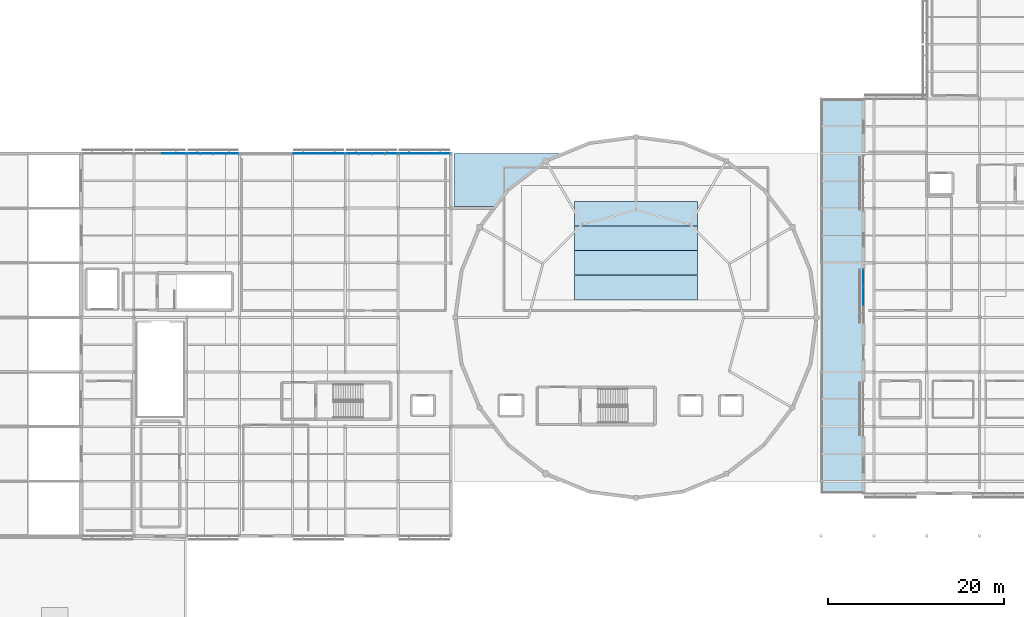
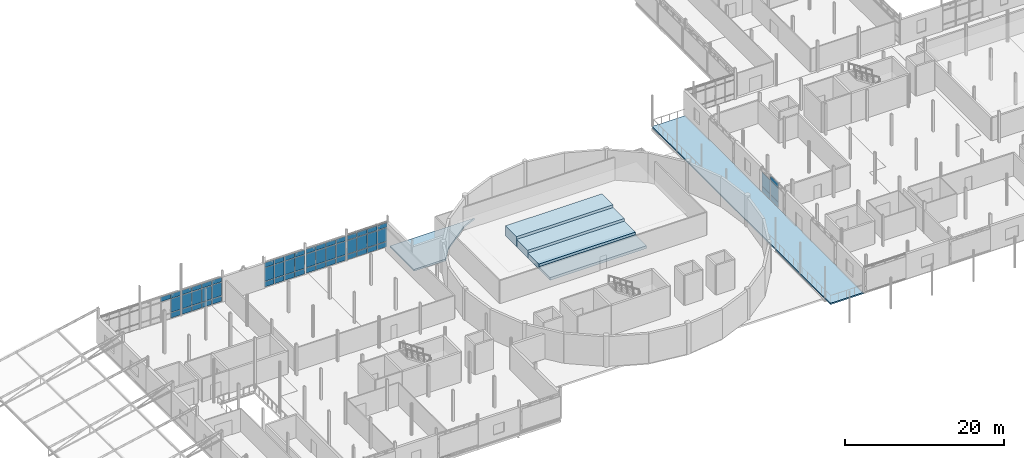
# One storey, part 51 of 84: 57 plates, 6 slabs, 6 elements without a shape of their own.
"""IFC4 building model written with IfcOpenShell, lengths in metres."""

from ifc_helpers import new_model, si_unit, direction, frame, origin, origin_2d, place, context, subcontext, project, spatial, polyline, rectangle, outline, extrude, material, layer, layer_set, type_object, element, aggregate, save


model = new_model("IFC4")

# Units and contexts
model_context = context("Model", 3, precision=1e-05, world=origin(), true_north=direction((0.0, 1.0)))
body_context = subcontext(model_context, "Body", "Model", "MODEL_VIEW")
ifc_project = project(units=[si_unit("LENGTHUNIT", "METRE"), si_unit("AREAUNIT", "SQUARE_METRE"), si_unit("VOLUMEUNIT", "CUBIC_METRE"), si_unit("PLANEANGLEUNIT", "RADIAN"), si_unit("MASSUNIT", "GRAM", prefix="KILO")], contexts=[model_context])

# Site, building, storey
site_placement = place(None, origin())
site = spatial("IfcSite", under=ifc_project, at=site_placement, CompositionType="ELEMENT")
building_placement = place(site_placement, origin())
building = spatial("IfcBuilding", under=site, at=building_placement, Name="Mirzam Square Science Centre", CompositionType="ELEMENT")
storey_placement = place(building_placement, frame((0.0, 0.0, 10.800048828125)))
storey = spatial("IfcBuildingStorey", under=building, at=storey_placement, Name="L02", CompositionType="ELEMENT", Elevation=10.800048828125)

# Curtain wall, plates
ifc_material_1 = material(Name="Anodised Aluminium and Low-E Solar Glass", Category="aluminium")
ifc_layer_1 = layer(ifc_material_1, 0.179931640625)
ifc_layer_set_1 = layer_set([ifc_layer_1], Name="CW-PARK-A")
curtain_wall_type_1 = type_object("IfcCurtainWallType", Name="CW-PARK-A", PredefinedType="USERDEFINED", material=ifc_layer_set_1)
curtain_wall_1_placement = place(storey_placement, origin())
curtain_wall_1 = element("IfcCurtainWall", 1, at=curtain_wall_1_placement, inside=storey, type_object=curtain_wall_type_1, Name="L02 unitised curtain wall 23", ObjectType="UNITISED CURTAIN WALL", PredefinedType="USERDEFINED")
ifc_material_2 = material(Name="Ceramic-Fritted Courtyard Solar Glass", Category="glass")
ifc_layer_2 = layer(ifc_material_2, 0.02392578125)
ifc_layer_set_2 = layer_set([ifc_layer_2], Name="CWP-GLZ-24")
plate_type_1 = type_object("IfcPlateType", Name="CWP-GLZ-24", PredefinedType="CURTAIN_PANEL", material=ifc_layer_set_2)
plate_1_placement = place(storey_placement, frame((35.18994140625, 80.60009765625, 0.074951171875), z_axis=(0.0, 0.0, 1.0), x_axis=(-1.0, 0.0, 0.0)))
plate_1 = element("IfcPlate", 2, at=plate_1_placement, type_object=plate_type_1, Name="CW-01 panel 1.1", PredefinedType="CURTAIN_PANEL", context=body_context, shape_type="SweptSolid", body=[
    extrude(rectangle(XDim=1.360107421875, YDim=0.02392578125, at=origin_2d()), origin(), (0.0, 0.0, 1.0), 0.78759765625),
])
plate_2_placement = place(storey_placement, frame((35.18994140625, 80.60009765625, 0.9375), z_axis=(0.0, 0.0, 1.0), x_axis=(-1.0, 0.0, 0.0)))
plate_2 = element("IfcPlate", 3, at=plate_2_placement, type_object=plate_type_1, Name="CW-01 panel 1.2", PredefinedType="CURTAIN_PANEL", context=body_context, shape_type="SweptSolid", body=[
    extrude(rectangle(XDim=1.360107421875, YDim=0.02392578125, at=origin_2d()), origin(), (0.0, 0.0, 1.0), 2.06494140625),
])
plate_3_placement = place(storey_placement, frame((35.18994140625, 80.60009765625, 3.077392578125), z_axis=(0.0, 0.0, 1.0), x_axis=(-1.0, 0.0, 0.0)))
plate_3 = element("IfcPlate", 4, at=plate_3_placement, type_object=plate_type_1, Name="CW-01 panel 1.3", PredefinedType="CURTAIN_PANEL", context=body_context, shape_type="SweptSolid", body=[
    extrude(rectangle(XDim=1.360107421875, YDim=0.02392578125, at=origin_2d()), origin(), (0.0, 0.0, 1.0), 0.6875),
])
plate_4_placement = place(storey_placement, frame((33.736328125, 80.60009765625, 0.074951171875), z_axis=(0.0, 0.0, 1.0), x_axis=(-1.0, 0.0, 0.0)))
plate_4 = element("IfcPlate", 5, at=plate_4_placement, type_object=plate_type_1, Name="CW-01 panel 2.1", PredefinedType="CURTAIN_PANEL", context=body_context, shape_type="SweptSolid", body=[
    extrude(rectangle(XDim=1.3974609375, YDim=0.02392578125, at=origin_2d()), origin(), (0.0, 0.0, 1.0), 0.78759765625),
])
plate_5_placement = place(storey_placement, frame((33.736328125, 80.60009765625, 0.9375), z_axis=(0.0, 0.0, 1.0), x_axis=(-1.0, 0.0, 0.0)))
plate_5 = element("IfcPlate", 6, at=plate_5_placement, type_object=plate_type_1, Name="CW-01 panel 2.2", PredefinedType="CURTAIN_PANEL", context=body_context, shape_type="SweptSolid", body=[
    extrude(rectangle(XDim=1.3974609375, YDim=0.02392578125, at=origin_2d()), origin(), (0.0, 0.0, 1.0), 2.06494140625),
])
plate_6_placement = place(storey_placement, frame((33.736328125, 80.60009765625, 3.077392578125), z_axis=(0.0, 0.0, 1.0), x_axis=(-1.0, 0.0, 0.0)))
plate_6 = element("IfcPlate", 7, at=plate_6_placement, type_object=plate_type_1, Name="CW-01 panel 2.3", PredefinedType="CURTAIN_PANEL", context=body_context, shape_type="SweptSolid", body=[
    extrude(rectangle(XDim=1.3974609375, YDim=0.02392578125, at=origin_2d()), origin(), (0.0, 0.0, 1.0), 0.6875),
])
plate_7_placement = place(storey_placement, frame((32.263671875, 80.60009765625, 0.074951171875), z_axis=(0.0, 0.0, 1.0), x_axis=(-1.0, 0.0, 0.0)))
plate_7 = element("IfcPlate", 8, at=plate_7_placement, type_object=plate_type_1, Name="CW-01 panel 3.1", PredefinedType="CURTAIN_PANEL", context=body_context, shape_type="SweptSolid", body=[
    extrude(rectangle(XDim=1.3974609375, YDim=0.02392578125, at=origin_2d()), origin(), (0.0, 0.0, 1.0), 0.78759765625),
])
plate_8_placement = place(storey_placement, frame((32.263671875, 80.60009765625, 0.9375), z_axis=(0.0, 0.0, 1.0), x_axis=(-1.0, 0.0, 0.0)))
plate_8 = element("IfcPlate", 9, at=plate_8_placement, type_object=plate_type_1, Name="CW-01 panel 3.2", PredefinedType="CURTAIN_PANEL", context=body_context, shape_type="SweptSolid", body=[
    extrude(rectangle(XDim=1.3974609375, YDim=0.02392578125, at=origin_2d()), origin(), (0.0, 0.0, 1.0), 2.06494140625),
])
plate_9_placement = place(storey_placement, frame((32.263671875, 80.60009765625, 3.077392578125), z_axis=(0.0, 0.0, 1.0), x_axis=(-1.0, 0.0, 0.0)))
plate_9 = element("IfcPlate", 10, at=plate_9_placement, type_object=plate_type_1, Name="CW-01 panel 3.3", PredefinedType="CURTAIN_PANEL", context=body_context, shape_type="SweptSolid", body=[
    extrude(rectangle(XDim=1.3974609375, YDim=0.02392578125, at=origin_2d()), origin(), (0.0, 0.0, 1.0), 0.6875),
])
plate_10_placement = place(storey_placement, frame((30.81005859375, 80.60009765625, 0.074951171875), z_axis=(0.0, 0.0, 1.0), x_axis=(-1.0, 0.0, 0.0)))
plate_10 = element("IfcPlate", 11, at=plate_10_placement, type_object=plate_type_1, Name="CW-01 panel 4.1", PredefinedType="CURTAIN_PANEL", context=body_context, shape_type="SweptSolid", body=[
    extrude(rectangle(XDim=1.360107421875, YDim=0.02392578125, at=origin_2d()), origin(), (0.0, 0.0, 1.0), 0.78759765625),
])
plate_11_placement = place(storey_placement, frame((30.81005859375, 80.60009765625, 0.9375), z_axis=(0.0, 0.0, 1.0), x_axis=(-1.0, 0.0, 0.0)))
plate_11 = element("IfcPlate", 12, at=plate_11_placement, type_object=plate_type_1, Name="CW-01 panel 4.2", PredefinedType="CURTAIN_PANEL", context=body_context, shape_type="SweptSolid", body=[
    extrude(rectangle(XDim=1.360107421875, YDim=0.02392578125, at=origin_2d()), origin(), (0.0, 0.0, 1.0), 2.06494140625),
])
plate_12_placement = place(storey_placement, frame((30.81005859375, 80.60009765625, 3.077392578125), z_axis=(0.0, 0.0, 1.0), x_axis=(-1.0, 0.0, 0.0)))
plate_12 = element("IfcPlate", 13, at=plate_12_placement, type_object=plate_type_1, Name="CW-01 panel 4.3", PredefinedType="CURTAIN_PANEL", context=body_context, shape_type="SweptSolid", body=[
    extrude(rectangle(XDim=1.360107421875, YDim=0.02392578125, at=origin_2d()), origin(), (0.0, 0.0, 1.0), 0.6875),
])
aggregate(curtain_wall_1, [plate_1, plate_2, plate_3, plate_4, plate_5, plate_6, plate_7, plate_8, plate_9, plate_10, plate_11, plate_12])

ifc_layer_3 = layer(ifc_material_1, 0.159912109375)
ifc_layer_set_3 = layer_set([ifc_layer_3], Name="CW-COURT-A")
curtain_wall_type_2 = type_object("IfcCurtainWallType", Name="CW-COURT-A", PredefinedType="USERDEFINED", material=ifc_layer_set_3)
curtain_wall_2_placement = place(storey_placement, origin())
curtain_wall_2 = element("IfcCurtainWall", 14, at=curtain_wall_2_placement, inside=storey, type_object=curtain_wall_type_2, Name="L02 unitised curtain wall 24", ObjectType="UNITISED CURTAIN WALL", PredefinedType="USERDEFINED")
ifc_material_3 = material(Name="Double-Silver Low-E Insulated Solar Glass", Category="glass")
ifc_layer_4 = layer(ifc_material_3, 0.028076171875)
ifc_layer_set_4 = layer_set([ifc_layer_4], Name="CWP-GLZ-28")
plate_type_2 = type_object("IfcPlateType", Name="CWP-GLZ-28", PredefinedType="CURTAIN_PANEL", material=ifc_layer_set_4)
plate_13_placement = place(storey_placement, frame((47.1923828125, 80.60009765625, 0.06494140625), z_axis=(0.0, 0.0, 1.0), x_axis=(-1.0, 0.0, 0.0)))
plate_13 = element("IfcPlate", 15, at=plate_13_placement, type_object=plate_type_2, Name="CW-03 panel 1.1", PredefinedType="CURTAIN_PANEL", context=body_context, shape_type="SweptSolid", body=[
    extrude(rectangle(XDim=1.375, YDim=0.028076171875, at=origin_2d()), origin(), (0.0, 0.0, 1.0), 0.802490234375),
])
plate_14_placement = place(storey_placement, frame((47.1923828125, 80.60009765625, 0.9326171875), z_axis=(0.0, 0.0, 1.0), x_axis=(-1.0, 0.0, 0.0)))
plate_14 = element("IfcPlate", 16, at=plate_14_placement, type_object=plate_type_2, Name="CW-03 panel 1.2", PredefinedType="CURTAIN_PANEL", context=body_context, shape_type="SweptSolid", body=[
    extrude(rectangle(XDim=1.375, YDim=0.028076171875, at=origin_2d()), origin(), (0.0, 0.0, 1.0), 2.074951171875),
])
plate_15_placement = place(storey_placement, frame((47.1923828125, 80.60009765625, 3.072265625), z_axis=(0.0, 0.0, 1.0), x_axis=(-1.0, 0.0, 0.0)))
plate_15 = element("IfcPlate", 17, at=plate_15_placement, type_object=plate_type_2, Name="CW-03 panel 1.3", PredefinedType="CURTAIN_PANEL", context=body_context, shape_type="SweptSolid", body=[
    extrude(rectangle(XDim=1.375, YDim=0.028076171875, at=origin_2d()), origin(), (0.0, 0.0, 1.0), 0.702392578125),
])
plate_16_placement = place(storey_placement, frame((45.736328125, 80.60009765625, 0.06494140625), z_axis=(0.0, 0.0, 1.0), x_axis=(-1.0, 0.0, 0.0)))
plate_16 = element("IfcPlate", 18, at=plate_16_placement, type_object=plate_type_2, Name="CW-03 panel 2.1", PredefinedType="CURTAIN_PANEL", context=body_context, shape_type="SweptSolid", body=[
    extrude(rectangle(XDim=1.407470703125, YDim=0.028076171875, at=origin_2d()), origin(), (0.0, 0.0, 1.0), 0.802490234375),
])
plate_17_placement = place(storey_placement, frame((45.736328125, 80.60009765625, 0.9326171875), z_axis=(0.0, 0.0, 1.0), x_axis=(-1.0, 0.0, 0.0)))
plate_17 = element("IfcPlate", 19, at=plate_17_placement, type_object=plate_type_2, Name="CW-03 panel 2.2", PredefinedType="CURTAIN_PANEL", context=body_context, shape_type="SweptSolid", body=[
    extrude(rectangle(XDim=1.407470703125, YDim=0.028076171875, at=origin_2d()), origin(), (0.0, 0.0, 1.0), 2.074951171875),
])
plate_18_placement = place(storey_placement, frame((45.736328125, 80.60009765625, 3.072265625), z_axis=(0.0, 0.0, 1.0), x_axis=(-1.0, 0.0, 0.0)))
plate_18 = element("IfcPlate", 20, at=plate_18_placement, type_object=plate_type_2, Name="CW-03 panel 2.3", PredefinedType="CURTAIN_PANEL", context=body_context, shape_type="SweptSolid", body=[
    extrude(rectangle(XDim=1.407470703125, YDim=0.028076171875, at=origin_2d()), origin(), (0.0, 0.0, 1.0), 0.702392578125),
])
plate_19_placement = place(storey_placement, frame((44.263671875, 80.60009765625, 0.06494140625), z_axis=(0.0, 0.0, 1.0), x_axis=(-1.0, 0.0, 0.0)))
plate_19 = element("IfcPlate", 21, at=plate_19_placement, type_object=plate_type_2, Name="CW-03 panel 3.1", PredefinedType="CURTAIN_PANEL", context=body_context, shape_type="SweptSolid", body=[
    extrude(rectangle(XDim=1.407470703125, YDim=0.028076171875, at=origin_2d()), origin(), (0.0, 0.0, 1.0), 0.802490234375),
])
plate_20_placement = place(storey_placement, frame((44.263671875, 80.60009765625, 0.9326171875), z_axis=(0.0, 0.0, 1.0), x_axis=(-1.0, 0.0, 0.0)))
plate_20 = element("IfcPlate", 22, at=plate_20_placement, type_object=plate_type_2, Name="CW-03 panel 3.2", PredefinedType="CURTAIN_PANEL", context=body_context, shape_type="SweptSolid", body=[
    extrude(rectangle(XDim=1.407470703125, YDim=0.028076171875, at=origin_2d()), origin(), (0.0, 0.0, 1.0), 2.074951171875),
])
plate_21_placement = place(storey_placement, frame((44.263671875, 80.60009765625, 3.072265625), z_axis=(0.0, 0.0, 1.0), x_axis=(-1.0, 0.0, 0.0)))
plate_21 = element("IfcPlate", 23, at=plate_21_placement, type_object=plate_type_2, Name="CW-03 panel 3.3", PredefinedType="CURTAIN_PANEL", context=body_context, shape_type="SweptSolid", body=[
    extrude(rectangle(XDim=1.407470703125, YDim=0.028076171875, at=origin_2d()), origin(), (0.0, 0.0, 1.0), 0.702392578125),
])
plate_22_placement = place(storey_placement, frame((42.8076171875, 80.60009765625, 0.06494140625), z_axis=(0.0, 0.0, 1.0), x_axis=(-1.0, 0.0, 0.0)))
plate_22 = element("IfcPlate", 24, at=plate_22_placement, type_object=plate_type_2, Name="CW-03 panel 4.1", PredefinedType="CURTAIN_PANEL", context=body_context, shape_type="SweptSolid", body=[
    extrude(rectangle(XDim=1.375, YDim=0.028076171875, at=origin_2d()), origin(), (0.0, 0.0, 1.0), 0.802490234375),
])
plate_23_placement = place(storey_placement, frame((42.8076171875, 80.60009765625, 0.9326171875), z_axis=(0.0, 0.0, 1.0), x_axis=(-1.0, 0.0, 0.0)))
plate_23 = element("IfcPlate", 25, at=plate_23_placement, type_object=plate_type_2, Name="CW-03 panel 4.2", PredefinedType="CURTAIN_PANEL", context=body_context, shape_type="SweptSolid", body=[
    extrude(rectangle(XDim=1.375, YDim=0.028076171875, at=origin_2d()), origin(), (0.0, 0.0, 1.0), 2.074951171875),
])
plate_24_placement = place(storey_placement, frame((42.8076171875, 80.60009765625, 3.072265625), z_axis=(0.0, 0.0, 1.0), x_axis=(-1.0, 0.0, 0.0)))
plate_24 = element("IfcPlate", 26, at=plate_24_placement, type_object=plate_type_2, Name="CW-03 panel 4.3", PredefinedType="CURTAIN_PANEL", context=body_context, shape_type="SweptSolid", body=[
    extrude(rectangle(XDim=1.375, YDim=0.028076171875, at=origin_2d()), origin(), (0.0, 0.0, 1.0), 0.702392578125),
])
aggregate(curtain_wall_2, [plate_13, plate_14, plate_15, plate_16, plate_17, plate_18, plate_19, plate_20, plate_21, plate_22, plate_23, plate_24])

ifc_layer_5 = layer(ifc_material_1, 0.239990234375)
ifc_layer_set_5 = layer_set([ifc_layer_5], Name="CW-EAST-B")
curtain_wall_type_3 = type_object("IfcCurtainWallType", Name="CW-EAST-B", PredefinedType="USERDEFINED", material=ifc_layer_set_5)
curtain_wall_3_placement = place(storey_placement, origin())
curtain_wall_3 = element("IfcCurtainWall", 27, at=curtain_wall_3_placement, inside=storey, type_object=curtain_wall_type_3, Name="L02 unitised curtain wall 111", ObjectType="UNITISED CURTAIN WALL", PredefinedType="USERDEFINED")
plate_25_placement = place(storey_placement, frame((106.800048828125, 66.47802734375, 0.074951171875), z_axis=(0.0, 0.0, 1.0), x_axis=(0.0, -1.0, 0.0)))
plate_25 = element("IfcPlate", 28, at=plate_25_placement, type_object=plate_type_2, Name="CW-06 panel 1.1", PredefinedType="CURTAIN_PANEL", context=body_context, shape_type="SweptSolid", body=[
    extrude(rectangle(XDim=1.984130859375, YDim=0.028076171875, at=origin_2d()), origin(), (0.0, 0.0, 1.0), 0.78759765625),
])
plate_26_placement = place(storey_placement, frame((106.800048828125, 66.47802734375, 0.9375), z_axis=(0.0, 0.0, 1.0), x_axis=(0.0, -1.0, 0.0)))
plate_26 = element("IfcPlate", 29, at=plate_26_placement, type_object=plate_type_2, Name="CW-06 panel 1.2", PredefinedType="CURTAIN_PANEL", context=body_context, shape_type="SweptSolid", body=[
    extrude(rectangle(XDim=1.984130859375, YDim=0.028076171875, at=origin_2d()), origin(), (0.0, 0.0, 1.0), 2.06494140625),
])
plate_27_placement = place(storey_placement, frame((106.800048828125, 64.39990234375, 0.074951171875), z_axis=(0.0, 0.0, 1.0), x_axis=(0.0, -1.0, 0.0)))
plate_27 = element("IfcPlate", 30, at=plate_27_placement, type_object=plate_type_2, Name="CW-06 panel 2.1", PredefinedType="CURTAIN_PANEL", context=body_context, shape_type="SweptSolid", body=[
    extrude(rectangle(XDim=2.021728515625, YDim=0.028076171875, at=origin_2d()), origin(), (0.0, 0.0, 1.0), 0.78759765625),
])
plate_28_placement = place(storey_placement, frame((106.800048828125, 64.39990234375, 0.9375), z_axis=(0.0, 0.0, 1.0), x_axis=(0.0, -1.0, 0.0)))
plate_28 = element("IfcPlate", 31, at=plate_28_placement, type_object=plate_type_2, Name="CW-06 panel 2.2", PredefinedType="CURTAIN_PANEL", context=body_context, shape_type="SweptSolid", body=[
    extrude(rectangle(XDim=2.021728515625, YDim=0.028076171875, at=origin_2d()), origin(), (0.0, 0.0, 1.0), 2.06494140625),
])
plate_29_placement = place(storey_placement, frame((106.800048828125, 64.39990234375, 3.077392578125), z_axis=(0.0, 0.0, 1.0), x_axis=(0.0, -1.0, 0.0)))
plate_29 = element("IfcPlate", 32, at=plate_29_placement, type_object=plate_type_2, Name="CW-06 panel 2.3", PredefinedType="CURTAIN_PANEL", context=body_context, shape_type="SweptSolid", body=[
    extrude(rectangle(XDim=2.021728515625, YDim=0.028076171875, at=origin_2d()), origin(), (0.0, 0.0, 1.0), 0.6875),
])
aggregate(curtain_wall_3, [plate_25, plate_26, plate_27, plate_28, plate_29])

ifc_layer_6 = layer(ifc_material_1, 0.159912109375)
ifc_layer_set_6 = layer_set([ifc_layer_6], Name="CW-COURT-B")
curtain_wall_type_4 = type_object("IfcCurtainWallType", Name="CW-COURT-B", PredefinedType="USERDEFINED", material=ifc_layer_set_6)
curtain_wall_4_placement = place(storey_placement, origin())
curtain_wall_4 = element("IfcCurtainWall", 33, at=curtain_wall_4_placement, inside=storey, type_object=curtain_wall_type_4, Name="L02 unitised curtain wall 25", ObjectType="UNITISED CURTAIN WALL", PredefinedType="USERDEFINED")
ifc_material_4 = material(Name="Triple-Glazed Acoustic Low-E Solar Glass", Category="glass")
ifc_layer_7 = layer(ifc_material_4, 0.031982421875)
ifc_layer_set_7 = layer_set([ifc_layer_7], Name="CWP-GLZ-32")
plate_type_3 = type_object("IfcPlateType", Name="CWP-GLZ-32", PredefinedType="CURTAIN_PANEL", material=ifc_layer_set_7)
plate_30_placement = place(storey_placement, frame((53.18994140625, 80.60009765625, 0.074951171875), z_axis=(0.0, 0.0, 1.0), x_axis=(-1.0, 0.0, 0.0)))
plate_30 = element("IfcPlate", 34, at=plate_30_placement, type_object=plate_type_3, Name="CW-04 panel 1.1", PredefinedType="CURTAIN_PANEL", context=body_context, shape_type="SweptSolid", body=[
    extrude(rectangle(XDim=1.360107421875, YDim=0.031982421875, at=origin_2d()), origin(), (0.0, 0.0, 1.0), 0.78759765625),
])
plate_31_placement = place(storey_placement, frame((53.18994140625, 80.60009765625, 0.9375), z_axis=(0.0, 0.0, 1.0), x_axis=(-1.0, 0.0, 0.0)))
plate_31 = element("IfcPlate", 35, at=plate_31_placement, type_object=plate_type_3, Name="CW-04 panel 1.2", PredefinedType="CURTAIN_PANEL", context=body_context, shape_type="SweptSolid", body=[
    extrude(rectangle(XDim=1.360107421875, YDim=0.031982421875, at=origin_2d()), origin(), (0.0, 0.0, 1.0), 2.06494140625),
])
plate_32_placement = place(storey_placement, frame((53.18994140625, 80.60009765625, 3.077392578125), z_axis=(0.0, 0.0, 1.0), x_axis=(-1.0, 0.0, 0.0)))
plate_32 = element("IfcPlate", 36, at=plate_32_placement, type_object=plate_type_3, Name="CW-04 panel 1.3", PredefinedType="CURTAIN_PANEL", context=body_context, shape_type="SweptSolid", body=[
    extrude(rectangle(XDim=1.360107421875, YDim=0.031982421875, at=origin_2d()), origin(), (0.0, 0.0, 1.0), 0.6875),
])
plate_33_placement = place(storey_placement, frame((51.736328125, 80.60009765625, 0.074951171875), z_axis=(0.0, 0.0, 1.0), x_axis=(-1.0, 0.0, 0.0)))
plate_33 = element("IfcPlate", 37, at=plate_33_placement, type_object=plate_type_3, Name="CW-04 panel 2.1", PredefinedType="CURTAIN_PANEL", context=body_context, shape_type="SweptSolid", body=[
    extrude(rectangle(XDim=1.3974609375, YDim=0.031982421875, at=origin_2d()), origin(), (0.0, 0.0, 1.0), 0.78759765625),
])
plate_34_placement = place(storey_placement, frame((51.736328125, 80.60009765625, 0.9375), z_axis=(0.0, 0.0, 1.0), x_axis=(-1.0, 0.0, 0.0)))
plate_34 = element("IfcPlate", 38, at=plate_34_placement, type_object=plate_type_3, Name="CW-04 panel 2.2", PredefinedType="CURTAIN_PANEL", context=body_context, shape_type="SweptSolid", body=[
    extrude(rectangle(XDim=1.3974609375, YDim=0.031982421875, at=origin_2d()), origin(), (0.0, 0.0, 1.0), 2.06494140625),
])
plate_35_placement = place(storey_placement, frame((51.736328125, 80.60009765625, 3.077392578125), z_axis=(0.0, 0.0, 1.0), x_axis=(-1.0, 0.0, 0.0)))
plate_35 = element("IfcPlate", 39, at=plate_35_placement, type_object=plate_type_3, Name="CW-04 panel 2.3", PredefinedType="CURTAIN_PANEL", context=body_context, shape_type="SweptSolid", body=[
    extrude(rectangle(XDim=1.3974609375, YDim=0.031982421875, at=origin_2d()), origin(), (0.0, 0.0, 1.0), 0.6875),
])
plate_36_placement = place(storey_placement, frame((50.263671875, 80.60009765625, 0.074951171875), z_axis=(0.0, 0.0, 1.0), x_axis=(-1.0, 0.0, 0.0)))
plate_36 = element("IfcPlate", 40, at=plate_36_placement, type_object=plate_type_3, Name="CW-04 panel 3.1", PredefinedType="CURTAIN_PANEL", context=body_context, shape_type="SweptSolid", body=[
    extrude(rectangle(XDim=1.3974609375, YDim=0.031982421875, at=origin_2d()), origin(), (0.0, 0.0, 1.0), 0.78759765625),
])
plate_37_placement = place(storey_placement, frame((50.263671875, 80.60009765625, 0.9375), z_axis=(0.0, 0.0, 1.0), x_axis=(-1.0, 0.0, 0.0)))
plate_37 = element("IfcPlate", 41, at=plate_37_placement, type_object=plate_type_3, Name="CW-04 panel 3.2", PredefinedType="CURTAIN_PANEL", context=body_context, shape_type="SweptSolid", body=[
    extrude(rectangle(XDim=1.3974609375, YDim=0.031982421875, at=origin_2d()), origin(), (0.0, 0.0, 1.0), 2.06494140625),
])
plate_38_placement = place(storey_placement, frame((50.263671875, 80.60009765625, 3.077392578125), z_axis=(0.0, 0.0, 1.0), x_axis=(-1.0, 0.0, 0.0)))
plate_38 = element("IfcPlate", 42, at=plate_38_placement, type_object=plate_type_3, Name="CW-04 panel 3.3", PredefinedType="CURTAIN_PANEL", context=body_context, shape_type="SweptSolid", body=[
    extrude(rectangle(XDim=1.3974609375, YDim=0.031982421875, at=origin_2d()), origin(), (0.0, 0.0, 1.0), 0.6875),
])
plate_39_placement = place(storey_placement, frame((48.81005859375, 80.60009765625, 0.074951171875), z_axis=(0.0, 0.0, 1.0), x_axis=(-1.0, 0.0, 0.0)))
plate_39 = element("IfcPlate", 43, at=plate_39_placement, type_object=plate_type_3, Name="CW-04 panel 4.1", PredefinedType="CURTAIN_PANEL", context=body_context, shape_type="SweptSolid", body=[
    extrude(rectangle(XDim=1.360107421875, YDim=0.031982421875, at=origin_2d()), origin(), (0.0, 0.0, 1.0), 0.78759765625),
])
plate_40_placement = place(storey_placement, frame((48.81005859375, 80.60009765625, 0.9375), z_axis=(0.0, 0.0, 1.0), x_axis=(-1.0, 0.0, 0.0)))
plate_40 = element("IfcPlate", 44, at=plate_40_placement, type_object=plate_type_3, Name="CW-04 panel 4.2", PredefinedType="CURTAIN_PANEL", context=body_context, shape_type="SweptSolid", body=[
    extrude(rectangle(XDim=1.360107421875, YDim=0.031982421875, at=origin_2d()), origin(), (0.0, 0.0, 1.0), 2.06494140625),
])
plate_41_placement = place(storey_placement, frame((48.81005859375, 80.60009765625, 3.077392578125), z_axis=(0.0, 0.0, 1.0), x_axis=(-1.0, 0.0, 0.0)))
plate_41 = element("IfcPlate", 45, at=plate_41_placement, type_object=plate_type_3, Name="CW-04 panel 4.3", PredefinedType="CURTAIN_PANEL", context=body_context, shape_type="SweptSolid", body=[
    extrude(rectangle(XDim=1.360107421875, YDim=0.031982421875, at=origin_2d()), origin(), (0.0, 0.0, 1.0), 0.6875),
])
aggregate(curtain_wall_4, [plate_30, plate_31, plate_32, plate_33, plate_34, plate_35, plate_36, plate_37, plate_38, plate_39, plate_40, plate_41])

ifc_layer_8 = layer(ifc_material_1, 0.179931640625)
ifc_layer_set_8 = layer_set([ifc_layer_8], Name="CW-LINK-A")
curtain_wall_type_5 = type_object("IfcCurtainWallType", Name="CW-LINK-A", PredefinedType="USERDEFINED", material=ifc_layer_set_8)
curtain_wall_5_placement = place(storey_placement, origin())
curtain_wall_5 = element("IfcCurtainWall", 46, at=curtain_wall_5_placement, inside=storey, type_object=curtain_wall_type_5, Name="L02 unitised curtain wall 22", ObjectType="UNITISED CURTAIN WALL", PredefinedType="USERDEFINED")
ifc_material_5 = material(Name="Laminated Low-Iron Observatory Solar Glass", Category="glass")
ifc_layer_9 = layer(ifc_material_5, 0.035888671875)
ifc_layer_set_9 = layer_set([ifc_layer_9], Name="CWP-GLZ-36")
plate_type_4 = type_object("IfcPlateType", Name="CWP-GLZ-36", PredefinedType="CURTAIN_PANEL", material=ifc_layer_set_9)
plate_42_placement = place(storey_placement, frame((29.1923828125, 80.60009765625, 0.06494140625), z_axis=(0.0, 0.0, 1.0), x_axis=(-1.0, 0.0, 0.0)))
plate_42 = element("IfcPlate", 47, at=plate_42_placement, type_object=plate_type_4, Name="CW-08 panel 1.1", PredefinedType="CURTAIN_PANEL", context=body_context, shape_type="SweptSolid", body=[
    extrude(rectangle(XDim=1.375, YDim=0.035888671875, at=origin_2d()), origin(), (0.0, 0.0, 1.0), 0.802490234375),
])
plate_43_placement = place(storey_placement, frame((29.1923828125, 80.60009765625, 0.9326171875), z_axis=(0.0, 0.0, 1.0), x_axis=(-1.0, 0.0, 0.0)))
plate_43 = element("IfcPlate", 48, at=plate_43_placement, type_object=plate_type_4, Name="CW-08 panel 1.2", PredefinedType="CURTAIN_PANEL", context=body_context, shape_type="SweptSolid", body=[
    extrude(rectangle(XDim=1.375, YDim=0.035888671875, at=origin_2d()), origin(), (0.0, 0.0, 1.0), 2.074951171875),
])
plate_44_placement = place(storey_placement, frame((29.1923828125, 80.60009765625, 3.072265625), z_axis=(0.0, 0.0, 1.0), x_axis=(-1.0, 0.0, 0.0)))
plate_44 = element("IfcPlate", 49, at=plate_44_placement, type_object=plate_type_4, Name="CW-08 panel 1.3", PredefinedType="CURTAIN_PANEL", context=body_context, shape_type="SweptSolid", body=[
    extrude(rectangle(XDim=1.375, YDim=0.035888671875, at=origin_2d()), origin(), (0.0, 0.0, 1.0), 0.702392578125),
])
plate_45_placement = place(storey_placement, frame((27.736328125, 80.60009765625, 3.072265625), z_axis=(0.0, 0.0, 1.0), x_axis=(-1.0, 0.0, 0.0)))
plate_45 = element("IfcPlate", 50, at=plate_45_placement, type_object=plate_type_4, Name="CW-08 panel 2.3", PredefinedType="CURTAIN_PANEL", context=body_context, shape_type="SweptSolid", body=[
    extrude(rectangle(XDim=1.407470703125, YDim=0.035888671875, at=origin_2d()), origin(), (0.0, 0.0, 1.0), 0.702392578125),
])
aggregate(curtain_wall_5, [plate_42, plate_43, plate_44, plate_45])

ifc_layer_10 = layer(ifc_material_1, 0.199951171875)
ifc_layer_set_10 = layer_set([ifc_layer_10], Name="CW-EAST-A")
curtain_wall_type_6 = type_object("IfcCurtainWallType", Name="CW-EAST-A", PredefinedType="USERDEFINED", material=ifc_layer_set_10)
curtain_wall_6_placement = place(storey_placement, origin())
curtain_wall_6 = element("IfcCurtainWall", 51, at=curtain_wall_6_placement, inside=storey, type_object=curtain_wall_type_6, Name="L02 unitised curtain wall 26", ObjectType="UNITISED CURTAIN WALL", PredefinedType="USERDEFINED")
plate_46_placement = place(storey_placement, frame((59.19384765625, 80.60009765625, 0.059814453125), z_axis=(0.0, 0.0, 1.0), x_axis=(-1.0, 0.0, 0.0)))
plate_46 = element("IfcPlate", 52, at=plate_46_placement, type_object=plate_type_4, Name="CW-05 panel 1.1", PredefinedType="CURTAIN_PANEL", context=body_context, shape_type="SweptSolid", body=[
    extrude(rectangle(XDim=1.382568359375, YDim=0.035888671875, at=origin_2d()), origin(), (0.0, 0.0, 1.0), 0.81005859375),
])
plate_47_placement = place(storey_placement, frame((59.19384765625, 80.60009765625, 0.929931640625), z_axis=(0.0, 0.0, 1.0), x_axis=(-1.0, 0.0, 0.0)))
plate_47 = element("IfcPlate", 53, at=plate_47_placement, type_object=plate_type_4, Name="CW-05 panel 1.2", PredefinedType="CURTAIN_PANEL", context=body_context, shape_type="SweptSolid", body=[
    extrude(rectangle(XDim=1.382568359375, YDim=0.035888671875, at=origin_2d()), origin(), (0.0, 0.0, 1.0), 2.080078125),
])
plate_48_placement = place(storey_placement, frame((59.19384765625, 80.60009765625, 3.070068359375), z_axis=(0.0, 0.0, 1.0), x_axis=(-1.0, 0.0, 0.0)))
plate_48 = element("IfcPlate", 54, at=plate_48_placement, type_object=plate_type_4, Name="CW-05 panel 1.3", PredefinedType="CURTAIN_PANEL", context=body_context, shape_type="SweptSolid", body=[
    extrude(rectangle(XDim=1.382568359375, YDim=0.035888671875, at=origin_2d()), origin(), (0.0, 0.0, 1.0), 0.7099609375),
])
plate_49_placement = place(storey_placement, frame((57.736328125, 80.60009765625, 0.059814453125), z_axis=(0.0, 0.0, 1.0), x_axis=(-1.0, 0.0, 0.0)))
plate_49 = element("IfcPlate", 55, at=plate_49_placement, type_object=plate_type_4, Name="CW-05 panel 2.1", PredefinedType="CURTAIN_PANEL", context=body_context, shape_type="SweptSolid", body=[
    extrude(rectangle(XDim=1.41259765625, YDim=0.035888671875, at=origin_2d()), origin(), (0.0, 0.0, 1.0), 0.81005859375),
])
plate_50_placement = place(storey_placement, frame((57.736328125, 80.60009765625, 0.929931640625), z_axis=(0.0, 0.0, 1.0), x_axis=(-1.0, 0.0, 0.0)))
plate_50 = element("IfcPlate", 56, at=plate_50_placement, type_object=plate_type_4, Name="CW-05 panel 2.2", PredefinedType="CURTAIN_PANEL", context=body_context, shape_type="SweptSolid", body=[
    extrude(rectangle(XDim=1.41259765625, YDim=0.035888671875, at=origin_2d()), origin(), (0.0, 0.0, 1.0), 2.080078125),
])
plate_51_placement = place(storey_placement, frame((57.736328125, 80.60009765625, 3.070068359375), z_axis=(0.0, 0.0, 1.0), x_axis=(-1.0, 0.0, 0.0)))
plate_51 = element("IfcPlate", 57, at=plate_51_placement, type_object=plate_type_4, Name="CW-05 panel 2.3", PredefinedType="CURTAIN_PANEL", context=body_context, shape_type="SweptSolid", body=[
    extrude(rectangle(XDim=1.41259765625, YDim=0.035888671875, at=origin_2d()), origin(), (0.0, 0.0, 1.0), 0.7099609375),
])
plate_52_placement = place(storey_placement, frame((56.263671875, 80.60009765625, 0.059814453125), z_axis=(0.0, 0.0, 1.0), x_axis=(-1.0, 0.0, 0.0)))
plate_52 = element("IfcPlate", 58, at=plate_52_placement, type_object=plate_type_4, Name="CW-05 panel 3.1", PredefinedType="CURTAIN_PANEL", context=body_context, shape_type="SweptSolid", body=[
    extrude(rectangle(XDim=1.41259765625, YDim=0.035888671875, at=origin_2d()), origin(), (0.0, 0.0, 1.0), 0.81005859375),
])
plate_53_placement = place(storey_placement, frame((56.263671875, 80.60009765625, 0.929931640625), z_axis=(0.0, 0.0, 1.0), x_axis=(-1.0, 0.0, 0.0)))
plate_53 = element("IfcPlate", 59, at=plate_53_placement, type_object=plate_type_4, Name="CW-05 panel 3.2", PredefinedType="CURTAIN_PANEL", context=body_context, shape_type="SweptSolid", body=[
    extrude(rectangle(XDim=1.41259765625, YDim=0.035888671875, at=origin_2d()), origin(), (0.0, 0.0, 1.0), 2.080078125),
])
plate_54_placement = place(storey_placement, frame((56.263671875, 80.60009765625, 3.070068359375), z_axis=(0.0, 0.0, 1.0), x_axis=(-1.0, 0.0, 0.0)))
plate_54 = element("IfcPlate", 60, at=plate_54_placement, type_object=plate_type_4, Name="CW-05 panel 3.3", PredefinedType="CURTAIN_PANEL", context=body_context, shape_type="SweptSolid", body=[
    extrude(rectangle(XDim=1.41259765625, YDim=0.035888671875, at=origin_2d()), origin(), (0.0, 0.0, 1.0), 0.7099609375),
])
plate_55_placement = place(storey_placement, frame((54.80615234375, 80.60009765625, 0.059814453125), z_axis=(0.0, 0.0, 1.0), x_axis=(-1.0, 0.0, 0.0)))
plate_55 = element("IfcPlate", 61, at=plate_55_placement, type_object=plate_type_4, Name="CW-05 panel 4.1", PredefinedType="CURTAIN_PANEL", context=body_context, shape_type="SweptSolid", body=[
    extrude(rectangle(XDim=1.382568359375, YDim=0.035888671875, at=origin_2d()), origin(), (0.0, 0.0, 1.0), 0.81005859375),
])
plate_56_placement = place(storey_placement, frame((54.80615234375, 80.60009765625, 0.929931640625), z_axis=(0.0, 0.0, 1.0), x_axis=(-1.0, 0.0, 0.0)))
plate_56 = element("IfcPlate", 62, at=plate_56_placement, type_object=plate_type_4, Name="CW-05 panel 4.2", PredefinedType="CURTAIN_PANEL", context=body_context, shape_type="SweptSolid", body=[
    extrude(rectangle(XDim=1.382568359375, YDim=0.035888671875, at=origin_2d()), origin(), (0.0, 0.0, 1.0), 2.080078125),
])
plate_57_placement = place(storey_placement, frame((54.80615234375, 80.60009765625, 3.070068359375), z_axis=(0.0, 0.0, 1.0), x_axis=(-1.0, 0.0, 0.0)))
plate_57 = element("IfcPlate", 63, at=plate_57_placement, type_object=plate_type_4, Name="CW-05 panel 4.3", PredefinedType="CURTAIN_PANEL", context=body_context, shape_type="SweptSolid", body=[
    extrude(rectangle(XDim=1.382568359375, YDim=0.035888671875, at=origin_2d()), origin(), (0.0, 0.0, 1.0), 0.7099609375),
])
aggregate(curtain_wall_6, [plate_46, plate_47, plate_48, plate_49, plate_50, plate_51, plate_52, plate_53, plate_54, plate_55, plate_56, plate_57])

# Slabs
ifc_material_6 = material(Name="Insulated Courtyard Link Roof Concrete C40/50", Category="concrete")
ifc_layer_11 = layer(ifc_material_6, 0.264892578125)
ifc_layer_set_11 = layer_set([ifc_layer_11], Name="SL-LINK-ROOF-265")
slab_type_1 = type_object("IfcSlabType", Name="SL-LINK-ROOF-265", PredefinedType="ROOF", material=ifc_layer_set_11)
slab_1_placement = place(storey_placement, frame((0.0, 0.0, -0.26513671875)))
element("IfcSlab", 64, at=slab_1_placement, inside=storey, type_object=slab_type_1, Name="Central court link roof 2", PredefinedType="ROOF", context=body_context, shape_type="SweptSolid", body=[
    extrude(outline(polyline([(72.63818359375, 80.60009765625), (70.719970703125, 79.805419921875), (66.4619140625, 76.5380859375), (64.974609375, 74.60009765625), (60.35009765625, 74.60009765625), (60.35009765625, 80.60009765625), (72.63818359375, 80.60009765625)])), origin(), (0.0, 0.0, 1.0), 0.26513671875),
])
ifc_material_7 = material(Name="Concrete C40/50", Category="concrete")
ifc_layer_12 = layer(ifc_material_7, 0.219970703125)
ifc_layer_set_12 = layer_set([ifc_layer_12], Name="SL-TERR-220")
slab_type_2 = type_object("IfcSlabType", Name="SL-TERR-220", PredefinedType="FLOOR", material=ifc_layer_set_12)
slab_2_placement = place(storey_placement, frame((0.0, 0.0, -0.219970703125)))
element("IfcSlab", 65, at=slab_2_placement, inside=storey, type_object=slab_type_2, Name="L02 step terrace slab", PredefinedType="FLOOR", context=body_context, shape_type="SweptSolid", body=[
    extrude(outline(polyline([(102.0, 86.800048828125), (106.794921875, 86.800048828125), (106.794921875, 42.0), (102.0, 42.0), (102.0, 86.800048828125)])), origin(), (0.0, 0.0, 1.0), 0.219970703125),
])
ifc_layer_13 = layer(ifc_material_7, 0.195068359375)
ifc_layer_set_13 = layer_set([ifc_layer_13], Name="SL-TIER-195")
slab_type_3 = type_object("IfcSlabType", Name="SL-TIER-195", PredefinedType="USERDEFINED", material=ifc_layer_set_13)
slab_3_placement = place(storey_placement, origin())
element("IfcSlab", 66, at=slab_3_placement, inside=storey, type_object=slab_type_3, Name="Planetarium bowl raked seating tier 2", ObjectType="SEATING TIER", PredefinedType="USERDEFINED", context=body_context, shape_type="SweptSolid", body=[
    extrude(outline(polyline([(74.0, 66.800048828125), (88.0, 66.800048828125), (88.0, 69.580078125), (74.0, 69.580078125), (74.0, 66.800048828125)])), origin(), (0.0, 0.0, 1.0), 0.800048828125),
])
slab_4_placement = place(storey_placement, origin())
element("IfcSlab", 67, at=slab_4_placement, inside=storey, type_object=slab_type_3, Name="Planetarium bowl raked seating tier 4", ObjectType="SEATING TIER", PredefinedType="USERDEFINED", context=body_context, shape_type="SweptSolid", body=[
    extrude(outline(polyline([(74.0, 72.39990234375), (88.0, 72.39990234375), (88.0, 75.179931640625), (74.0, 75.179931640625), (74.0, 72.39990234375)])), origin(), (0.0, 0.0, 1.0), 1.599853515625),
])
ifc_layer_14 = layer(ifc_material_7, 0.199951171875)
ifc_layer_set_14 = layer_set([ifc_layer_14], Name="SL-TIER-200")
slab_type_4 = type_object("IfcSlabType", Name="SL-TIER-200", PredefinedType="USERDEFINED", material=ifc_layer_set_14)
slab_5_placement = place(storey_placement, origin())
element("IfcSlab", 68, at=slab_5_placement, inside=storey, type_object=slab_type_4, Name="Planetarium bowl raked seating tier 1", ObjectType="SEATING TIER", PredefinedType="USERDEFINED", context=body_context, shape_type="SweptSolid", body=[
    extrude(outline(polyline([(74.0, 64.0), (88.0, 64.0), (88.0, 66.780029296875), (74.0, 66.780029296875), (74.0, 64.0)])), origin(), (0.0, 0.0, 1.0), 0.39990234375),
])
slab_6_placement = place(storey_placement, origin())
element("IfcSlab", 69, at=slab_6_placement, inside=storey, type_object=slab_type_4, Name="Planetarium bowl raked seating tier 3", ObjectType="SEATING TIER", PredefinedType="USERDEFINED", context=body_context, shape_type="SweptSolid", body=[
    extrude(outline(polyline([(74.0, 69.60009765625), (88.0, 69.60009765625), (88.0, 72.3798828125), (74.0, 72.3798828125), (74.0, 69.60009765625)])), origin(), (0.0, 0.0, 1.0), 1.199951171875),
])

save(model, "model.ifc")
